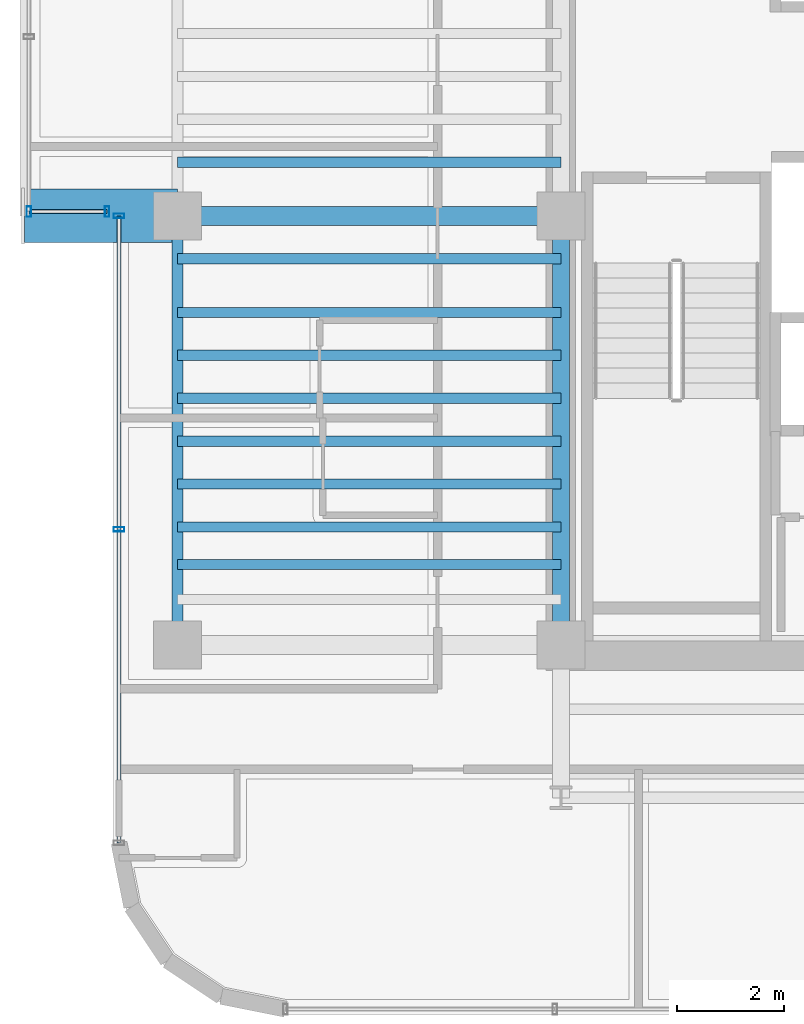
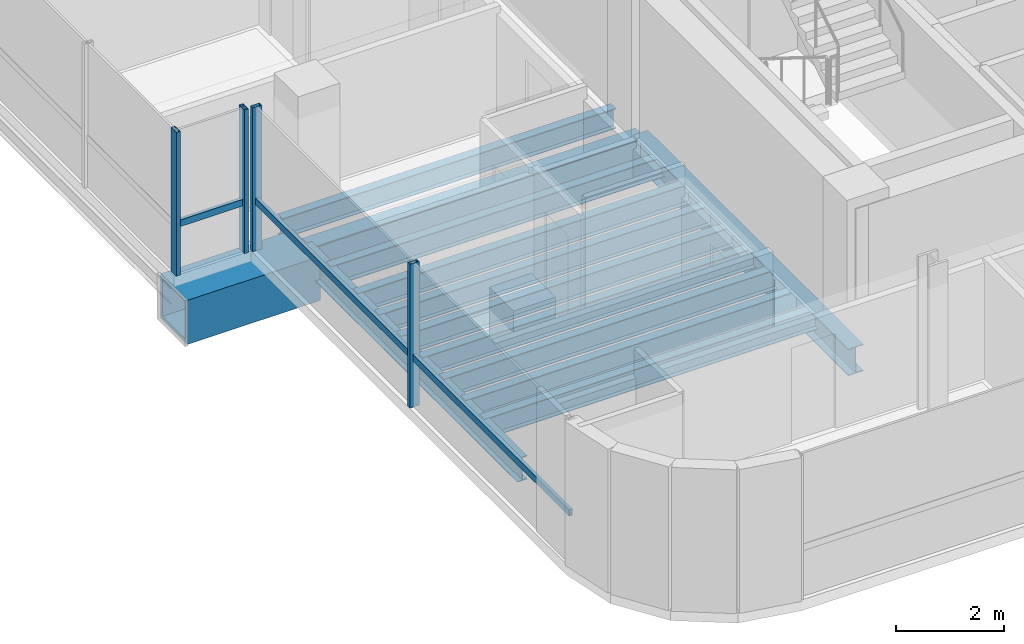
# One storey, part 4 of 22: 13 beams, 6 members, 2 elements without a shape of their own.
"""IFC4 building model written with IfcOpenShell, lengths in metres."""

import ifcopenshell
import ifcopenshell.guid

model = None  # the IFC model being written
_history = None  # IfcOwnerHistory: only IFC2X3 demands one
_inside = {}  # id of a spatial element -> (the spatial element, [elements in it])
_under = {}  # id of a project, library or spatial element -> (it, [spatial elements below it])
_declared = {}  # id of a project -> (the project, [libraries it declares])
_typed = {}  # id of a type object -> (the type object, [elements of that type])
_made_of = {}  # id of a material, layer set ... -> (it, [elements and type objects made of it])


def new_model(schema):
    """Start an empty IFC model of exactly this schema.

    Asked for "IFC4X3", IfcOpenShell would pick the latest addendum, in which some entities
    have other attributes; the version numbers below select the first issue.
    IFC2X3 requires an IfcOwnerHistory on every rooted entity: one is made here for all.
    """
    global model, _history
    if schema == "IFC4X3":
        model = ifcopenshell.file(schema_version=(4, 3, 0, 0))
    else:
        model = ifcopenshell.file(schema=schema)
    _inside.clear()
    _under.clear()
    _declared.clear()
    _typed.clear()
    _made_of.clear()
    _history = None
    if model.schema == "IFC2X3":
        org = make("IfcOrganization", Name="unknown")
        user = make(
            "IfcPersonAndOrganization",
            ThePerson=make("IfcPerson", FamilyName="unknown"),
            TheOrganization=org,
        )
        app = make(
            "IfcApplication",
            ApplicationDeveloper=org,
            Version="unknown",
            ApplicationFullName="unknown",
            ApplicationIdentifier="unknown",
        )
        _history = make(
            "IfcOwnerHistory",
            OwningUser=user,
            OwningApplication=app,
            ChangeAction="ADDED",
            CreationDate=0,
        )
    return model


def make(cls, **values):
    """One entity of the class cls with the attributes given. An attribute that is None is left unset."""
    return model.create_entity(
        cls, **{name: value for name, value in values.items() if value is not None}
    )


def rooted(cls, **values):
    """An entity with a GlobalId (a new one), such as an element, a storey or a relation."""
    return make(cls, GlobalId=ifcopenshell.guid.new(), OwnerHistory=_history, **values)


def si_unit(unit_type, name, prefix=None):
    """IfcSIUnit, for example si_unit("LENGTHUNIT", "METRE", prefix="MILLI")."""
    return make("IfcSIUnit", UnitType=unit_type, Prefix=prefix, Name=name)


def assignment(units):
    """IfcUnitAssignment: the units of a project."""
    return None if units is None else make("IfcUnitAssignment", Units=units)


def point(xyz):
    """IfcCartesianPoint."""
    return None if xyz is None else make("IfcCartesianPoint", Coordinates=xyz)


def direction(xyz):
    """IfcDirection."""
    return None if xyz is None else make("IfcDirection", DirectionRatios=xyz)


def frame(location, z_axis=None, x_axis=None):
    """IfcAxis2Placement3D, a coordinate frame: its origin and axes. An axis left out is left unset."""
    return make(
        "IfcAxis2Placement3D",
        Location=point(location),
        Axis=direction(z_axis),
        RefDirection=direction(x_axis),
    )


def frame_2d(location, x_axis=None):
    """IfcAxis2Placement2D, a coordinate frame in the plane: its origin and x axis."""
    return make(
        "IfcAxis2Placement2D", Location=point(location), RefDirection=direction(x_axis)
    )


def origin():
    """The frame at (0, 0, 0) with its axes left unset."""
    return frame((0.0, 0.0, 0.0))


def origin_2d():
    """The frame at (0, 0) in the plane with its x axis left unset."""
    return frame_2d((0.0, 0.0))


def place(relative_to, where):
    """IfcLocalPlacement: puts the frame where relative to a parent placement (None: the world)."""
    return make(
        "IfcLocalPlacement", PlacementRelTo=relative_to, RelativePlacement=where
    )


def context(
    kind, dimensions, precision=None, world=None, true_north=None, identifier=None
):
    """IfcGeometricRepresentationContext, for example the 3D "Model" context."""
    return make(
        "IfcGeometricRepresentationContext",
        ContextIdentifier=identifier,
        ContextType=kind,
        CoordinateSpaceDimension=dimensions,
        Precision=precision,
        WorldCoordinateSystem=world,
        TrueNorth=true_north,
    )


def subcontext(parent, identifier, kind, view, scale=None):
    """IfcGeometricRepresentationSubContext, for example "Body" below "Model"."""
    return make(
        "IfcGeometricRepresentationSubContext",
        ContextIdentifier=identifier,
        ContextType=kind,
        ParentContext=parent,
        TargetScale=scale,
        TargetView=view,
    )


def project(units=None, contexts=None):
    """IfcProject with its units and contexts."""
    return rooted(
        "IfcProject",
        Name="project",
        RepresentationContexts=contexts,
        UnitsInContext=assignment(units),
    )


def spatial(cls, under=None, at=None, **own):
    """A site, building, storey or space (cls), placed at a placement, below another one or the project."""
    s = rooted(cls, ObjectPlacement=at, **own)
    if under is not None:
        _under.setdefault(under.id(), (under, []))[1].append(s)
    return s


def profile(cls, at=None, kind="AREA", **sizes):
    """A parametric profile (cls). Its sizes go by their IFC names, for example OverallWidth=200.0."""
    return make(cls, ProfileType=kind, Position=at, **sizes)


def hollow_rectangle(**sizes):
    """IfcRectangleHollowProfileDef."""
    return profile("IfcRectangleHollowProfileDef", **sizes)


def i_section(**sizes):
    """IfcIShapeProfileDef."""
    return profile("IfcIShapeProfileDef", **sizes)


def extrude(swept, where, along, depth):
    """IfcExtrudedAreaSolid: the profile swept, set in the frame where, extruded along a direction by depth."""
    return make(
        "IfcExtrudedAreaSolid",
        SweptArea=swept,
        Position=where,
        ExtrudedDirection=direction(along),
        Depth=depth,
    )


def shape(context_of_items, identifier, shape_type, items):
    """IfcShapeRepresentation: the items that make up one representation, for example the "Body"."""
    return make(
        "IfcShapeRepresentation",
        ContextOfItems=context_of_items,
        RepresentationIdentifier=identifier,
        RepresentationType=shape_type,
        Items=items,
    )


def source(mapping_origin, context_of_items, identifier, shape_type, items):
    """IfcRepresentationMap: a shape defined once, which mapped items show again and again."""
    return make(
        "IfcRepresentationMap",
        MappingOrigin=mapping_origin,
        MappedRepresentation=shape(context_of_items, identifier, shape_type, items),
    )


def transform(
    local_origin,
    x_axis=None,
    y_axis=None,
    z_axis=None,
    scale=None,
    scale2=None,
    scale3=None,
    uniform=True,
):
    """IfcCartesianTransformationOperator3D, or its non-uniform kind. x_axis, y_axis, z_axis: its Axis1, 2, 3."""
    if uniform:
        return make(
            "IfcCartesianTransformationOperator3D",
            Axis1=direction(x_axis),
            Axis2=direction(y_axis),
            LocalOrigin=point(local_origin),
            Scale=scale,
            Axis3=direction(z_axis),
        )
    return make(
        "IfcCartesianTransformationOperator3DnonUniform",
        Axis1=direction(x_axis),
        Axis2=direction(y_axis),
        LocalOrigin=point(local_origin),
        Scale=scale,
        Axis3=direction(z_axis),
        Scale2=scale2,
        Scale3=scale3,
    )


def mapped(mapping_source, mapping_target):
    """IfcMappedItem: shows the shape of a source again, moved by a transform."""
    return make(
        "IfcMappedItem", MappingSource=mapping_source, MappingTarget=mapping_target
    )


def material(Name=None, Category=None):
    """IfcMaterial."""
    return make("IfcMaterial", Name=Name, Category=Category)


def material_profile(
    of_material, cross_section, Name=None, Category=None, Priority=None
):
    """IfcMaterialProfile: a cross section and its material."""
    return make(
        "IfcMaterialProfile",
        Name=Name,
        Material=of_material,
        Profile=cross_section,
        Priority=Priority,
        Category=Category,
    )


def profile_set(profiles, Name=None, composite=None):
    """IfcMaterialProfileSet."""
    return make(
        "IfcMaterialProfileSet",
        Name=Name,
        MaterialProfiles=profiles,
        CompositeProfile=composite,
    )


def made_of(thing, what):
    """Note that an element or type object is made of a material, layer set ...; save() writes the relation."""
    if what is not None:
        _made_of.setdefault(what.id(), (what, []))[1].append(thing)
    return thing


def type_object(cls, material=None, **own):
    """A type object (cls), such as IfcWallType, which elements share."""
    return made_of(rooted(cls, **own), material)


def element(
    cls,
    number,
    at=None,
    inside=None,
    cuts=None,
    type_object=None,
    material=None,
    context=None,
    identifier="Body",
    shape_type=None,
    held_by="IfcProductDefinitionShape",
    body=None,
    shapes=None,
    **own,
):
    """One element of the class cls, such as IfcWall. Its Tag is "e" and its number.

    at: its placement. inside: the storey or other place that contains it. cuts: it is an
    opening in that element (IfcRelVoidsElement). A single representation is given by context,
    identifier, shape_type and body (its items); several are given by shapes. held_by: the class
    of the entity that holds the representations. save() writes the other relations.
    """
    e = rooted(cls, Tag="e%d" % number, ObjectPlacement=at, **own)
    if body is not None:
        shapes = [shape(context, identifier, shape_type, body)]
    if shapes is not None:
        e.Representation = make(held_by, Representations=shapes)
    if inside is not None:
        _inside.setdefault(inside.id(), (inside, []))[1].append(e)
    if cuts is not None:
        rooted(
            "IfcRelVoidsElement", RelatingBuildingElement=cuts, RelatedOpeningElement=e
        )
    if type_object is not None:
        _typed.setdefault(type_object.id(), (type_object, []))[1].append(e)
    return made_of(e, material)


def aggregate(whole, parts):
    """IfcRelAggregates: a whole, such as a stair, and the parts it consists of."""
    return rooted("IfcRelAggregates", RelatingObject=whole, RelatedObjects=parts)


def save(model, path):
    """Write the relations noted so far, then the file.

    IfcRelAggregates (storeys below a building ...), IfcRelContainedInSpatialStructure (elements
    in a storey), IfcRelDefinesByType, IfcRelAssociatesMaterial and IfcRelDeclares: one each for
    every whole, place, type object, material and project.
    """
    for whole, parts in _under.values():
        aggregate(whole, parts)
    for where, things in _inside.values():
        rooted(
            "IfcRelContainedInSpatialStructure",
            RelatedElements=things,
            RelatingStructure=where,
        )
    for kind, things in _typed.values():
        rooted("IfcRelDefinesByType", RelatedObjects=things, RelatingType=kind)
    for what, things in _made_of.values():
        rooted("IfcRelAssociatesMaterial", RelatedObjects=things, RelatingMaterial=what)
    for by, libraries in _declared.values():
        rooted("IfcRelDeclares", RelatingContext=by, RelatedDefinitions=libraries)
    model.write(path)


model = new_model("IFC4")

# Units and contexts
model_context = context("Model", 3, precision=1e-05, world=origin(), true_north=direction((0.0, 1.0)))
body_context = subcontext(model_context, "Body", "Model", "MODEL_VIEW")
ifc_project = project(units=[si_unit("LENGTHUNIT", "METRE"), si_unit("AREAUNIT", "SQUARE_METRE"), si_unit("VOLUMEUNIT", "CUBIC_METRE"), si_unit("PLANEANGLEUNIT", "RADIAN"), si_unit("MASSUNIT", "GRAM", prefix="KILO")], contexts=[model_context])

# Site, building, storey
site_placement = place(None, origin())
site = spatial("IfcSite", under=ifc_project, at=site_placement, CompositionType="ELEMENT")
building_placement = place(site_placement, origin())
building = spatial("IfcBuilding", under=site, at=building_placement, Name="Valdorenza Pilgrim Sanctuary Tower", CompositionType="ELEMENT")
storey_placement = place(building_placement, frame((0.0, 0.0, 216.0)))
storey = spatial("IfcBuildingStorey", under=building, at=storey_placement, Name="L55", CompositionType="ELEMENT", Elevation=216.0)

# Beams
ifc_material_1 = material(Name="Steel ASTM A992 Grade 50", Category="steel")
ifc_material_profile_1 = material_profile(ifc_material_1, i_section(OverallWidth=0.323974609375, OverallDepth=0.611083984375, WebThickness=0.0126953125, FlangeThickness=0.01904296875, at=origin_2d()), Name="W24X104")
ifc_profile_set_1 = profile_set([ifc_material_profile_1], Name="Steel ASTM A992 Grade 50")
beam_type_1 = type_object("IfcBeamType", Name="STR-BM-GRD-W24B", PredefinedType="BEAM", material=ifc_profile_set_1)
shared_shape_1 = source(origin(), body_context, "Body", "SweptSolid", [
    extrude(i_section(OverallWidth=0.323974609375, OverallDepth=0.611083984375, WebThickness=0.0126953125, FlangeThickness=0.01904296875, at=origin_2d()), origin(), (0.0, 0.0, 1.0), 8.0),
])
beam_1_placement = place(storey_placement, frame((-22.64990234375, -10.60009765625, -0.54541015625), z_axis=(0.0, 1.0, 0.0), x_axis=(-1.0, 0.0, 0.0)))
element("IfcBeam", 1, at=beam_1_placement, inside=storey, type_object=beam_type_1, Name="L55 Core Tie Girder CA-W-S1M0", PredefinedType="BEAM", context=body_context, shape_type="MappedRepresentation", body=[
    mapped(shared_shape_1, transform((0.0, 0.0, 0.0), x_axis=(1.0, 0.0, 0.0), y_axis=(0.0, 1.0, 0.0), z_axis=(0.0, 0.0, 1.0), scale=1.0)),
])
ifc_material_profile_2 = material_profile(ifc_material_1, i_section(OverallWidth=0.19091796875, OverallDepth=0.45703125, WebThickness=0.009033203125, FlangeThickness=0.014404296875, at=origin_2d()), Name="W18X50")
ifc_profile_set_2 = profile_set([ifc_material_profile_2], Name="Steel ASTM A992 Grade 50")
beam_type_2 = type_object("IfcBeamType", Name="STR-BM-JST-W18B", PredefinedType="JOIST", material=ifc_profile_set_2)
shared_shape_2 = source(origin(), body_context, "Body", "SweptSolid", [
    extrude(i_section(OverallWidth=0.19091796875, OverallDepth=0.45703125, WebThickness=0.009033203125, FlangeThickness=0.014404296875, at=origin_2d()), origin(), (0.0, 0.0, 1.0), 7.150146484375),
])
for number, where, z_axis, x_axis, name in (
    (2, (-29.800048828125, -9.10009765625, -0.468505859375), (1.0, 0.0, 0.0), (0.0, 1.0, 0.0), "L55 Composite Floor Joist JST-WA-2"),
    (3, (-29.800048828125, -8.39990234375, -0.468505859375), (1.0, 0.0, 0.0), (0.0, 1.0, 0.0), "L55 Composite Floor Joist JST-WA-3"),
    (4, (-29.800048828125, -7.60009765625, -0.468505859375), (1.0, 0.0, 0.0), (0.0, 1.0, 0.0), "L55 Composite Floor Joist JST-WA-4"),
    (5, (-29.800048828125, -6.800048828125, -0.468505859375), (1.0, 0.0, 0.0), (0.0, 1.0, 0.0), "L55 Composite Floor Joist JST-WA-5"),
    (6, (-29.800048828125, -6.0, -0.468505859375), (1.0, 0.0, 0.0), (0.0, 1.0, 0.0), "L55 Composite Floor Joist JST-WA-6"),
    (7, (-29.800048828125, -5.199951171875, -0.468505859375), (1.0, 0.0, 0.0), (0.0, 1.0, 0.0), "L55 Composite Floor Joist JST-WA-7"),
    (8, (-29.800048828125, -4.39990234375, -0.468505859375), (1.0, 0.0, 0.0), (0.0, 1.0, 0.0), "L55 Composite Floor Joist JST-WA-8"),
    (9, (-29.800048828125, -3.39990234375, -0.468505859375), (1.0, 0.0, 0.0), (0.0, 1.0, 0.0), "L55 Composite Floor Joist JST-WA-9"),
    (10, (-29.800048828125, -1.60009765625, -0.468505859375), (1.0, 0.0, 0.0), (0.0, 1.0, 0.0), "L55 Composite Floor Joist JST-WA-10"),
):
    element("IfcBeam", number, at=place(storey_placement, frame(where, z_axis=z_axis, x_axis=x_axis)), inside=storey, type_object=beam_type_2, Name=name, PredefinedType="JOIST", context=body_context, shape_type="MappedRepresentation", body=[
        mapped(shared_shape_2, transform((0.0, 0.0, 0.0), x_axis=(1.0, 0.0, 0.0), y_axis=(0.0, 1.0, 0.0), z_axis=(0.0, 0.0, 1.0), scale=1.0)),
    ])
ifc_material_2 = material(Name="Steel ASTM A572 Grade 42", Category="steel")
ifc_material_profile_3 = material_profile(ifc_material_2, hollow_rectangle(XDim=1.0, YDim=1.0, WallThickness=0.080078125, at=origin_2d()), Name="BOX 1000x1000x80")
ifc_profile_set_3 = profile_set([ifc_material_profile_3], Name="Steel ASTM A572 Grade 42")
beam_type_3 = type_object("IfcBeamType", Name="STR-BM-PROW-CANT", PredefinedType="BEAM", material=ifc_profile_set_3)
shared_shape_3 = source(origin(), body_context, "Body", "SweptSolid", [
    extrude(hollow_rectangle(XDim=1.0, YDim=1.0, WallThickness=0.080078125, at=origin_2d()), origin(), (0.0, 0.0, 1.0), 2.849853515625),
])
beam_2_placement = place(storey_placement, frame((-29.800048828125, -2.60009765625, -0.739990234375), z_axis=(-1.0, 0.0, 0.0), x_axis=(0.0, -1.0, 0.0)))
element("IfcBeam", 11, at=beam_2_placement, inside=storey, type_object=beam_type_3, Name="L55 Glass Box Cantilever Beam BOX-WA-L55-CT-S", PredefinedType="BEAM", context=body_context, shape_type="MappedRepresentation", body=[
    mapped(shared_shape_3, transform((0.0, 0.0, 0.0), x_axis=(1.0, 0.0, 0.0), y_axis=(0.0, 1.0, 0.0), z_axis=(0.0, 0.0, 1.0), scale=1.0)),
])
ifc_material_profile_4 = material_profile(ifc_material_1, i_section(OverallWidth=0.2109375, OverallDepth=0.5390625, WebThickness=0.01171875, FlangeThickness=0.018798828125, at=origin_2d()), Name="W21X73")
ifc_profile_set_4 = profile_set([ifc_material_profile_4], Name="Steel ASTM A992 Grade 50")
beam_type_4 = type_object("IfcBeamType", Name="STR-BM-SPN-W21B", PredefinedType="SPANDREL", material=ifc_profile_set_4)
shared_shape_4 = source(origin(), body_context, "Body", "SweptSolid", [
    extrude(i_section(OverallWidth=0.2109375, OverallDepth=0.5390625, WebThickness=0.01171875, FlangeThickness=0.018798828125, at=origin_2d()), origin(), (0.0, 0.0, 1.0), 8.0),
])
beam_3_placement = place(storey_placement, frame((-29.800048828125, -10.60009765625, -0.509521484375), z_axis=(0.0, 1.0, 0.0), x_axis=(-1.0, 0.0, 0.0)))
element("IfcBeam", 12, at=beam_3_placement, inside=storey, type_object=beam_type_4, Name="L55 Spandrel Beam WA-W-S1M0", PredefinedType="SPANDREL", context=body_context, shape_type="MappedRepresentation", body=[
    mapped(shared_shape_4, transform((0.0, 0.0, 0.0), x_axis=(1.0, 0.0, 0.0), y_axis=(0.0, 1.0, 0.0), z_axis=(0.0, 0.0, 1.0), scale=1.0)),
])
ifc_material_profile_5 = material_profile(ifc_material_1, i_section(OverallWidth=0.35595703125, OverallDepth=0.700927734375, WebThickness=0.016845703125, FlangeThickness=0.02734375, at=origin_2d()), Name="W27X161")
ifc_profile_set_5 = profile_set([ifc_material_profile_5], Name="Steel ASTM A992 Grade 50")
beam_type_5 = type_object("IfcBeamType", Name="STR-BM-GRD-W27", PredefinedType="BEAM", material=ifc_profile_set_5)
shared_shape_5 = source(origin(), body_context, "Body", "SweptSolid", [
    extrude(i_section(OverallWidth=0.35595703125, OverallDepth=0.700927734375, WebThickness=0.016845703125, FlangeThickness=0.02734375, at=origin_2d()), origin(), (0.0, 0.0, 1.0), 7.150146484375),
])
beam_4_placement = place(storey_placement, frame((-29.800048828125, -2.60009765625, -0.590576171875), z_axis=(1.0, 0.0, 0.0), x_axis=(0.0, 1.0, 0.0)))
element("IfcBeam", 13, at=beam_4_placement, inside=storey, type_object=beam_type_5, Name="L55 Floor Girder WA-XW-M0", PredefinedType="BEAM", context=body_context, shape_type="MappedRepresentation", body=[
    mapped(shared_shape_5, transform((0.0, 0.0, 0.0), x_axis=(1.0, 0.0, 0.0), y_axis=(0.0, 1.0, 0.0), z_axis=(0.0, 0.0, 1.0), scale=1.0)),
])

# Curtain wall, member
ifc_material_3 = material(Name="Curtain-wall IGU glazing", Category="glass")
curtain_wall_type = type_object("IfcCurtainWallType", Name="CW-SYS-02", PredefinedType="NOTDEFINED", material=ifc_material_3)
curtain_wall_1_placement = place(storey_placement, origin())
curtain_wall_1 = element("IfcCurtainWall", 14, at=curtain_wall_1_placement, inside=storey, type_object=curtain_wall_type, Name="L55 Curtain Wall CW-L55-BOX-WA-L55-S", PredefinedType="NOTDEFINED")
ifc_material_4 = material(Name="Anodised aluminium AW-6060", Category="aluminium")
ifc_material_profile_6 = material_profile(ifc_material_4, hollow_rectangle(XDim=0.074951171875, YDim=0.14990234375, WallThickness=0.00390625, at=origin_2d()), Name="ALU-T 150x75x4")
ifc_profile_set_6 = profile_set([ifc_material_profile_6], Name="Anodised aluminium AW-6060")
member_type_1 = type_object("IfcMemberType", Name="CW-TRN-02", PredefinedType="USERDEFINED", material=ifc_profile_set_6)
shared_shape_6 = source(origin(), body_context, "Body", "SweptSolid", [
    extrude(hollow_rectangle(XDim=0.074951171875, YDim=0.14990234375, WallThickness=0.00390625, at=origin_2d()), origin(), (0.0, 0.0, 1.0), 1.4599609375),
])
member_1_placement = place(storey_placement, frame((-31.110107421875, -2.52001953125, 1.1201171875), z_axis=(-1.0, 0.0, 0.0), x_axis=(0.0, -1.0, 0.0)))
member_1 = element("IfcMember", 15, at=member_1_placement, type_object=member_type_1, Name="CW-L55-BOX-WA-L55-S Transom 1", ObjectType="TRANSOM", PredefinedType="USERDEFINED", context=body_context, shape_type="MappedRepresentation", body=[
    mapped(shared_shape_6, transform((0.0, 0.0, 0.0), x_axis=(1.0, 0.0, 0.0), y_axis=(0.0, 1.0, 0.0), z_axis=(0.0, 0.0, 1.0), scale=1.0)),
])

# Curtain wall, members
curtain_wall_2_placement = place(storey_placement, origin())
curtain_wall_2 = element("IfcCurtainWall", 16, at=curtain_wall_2_placement, inside=storey, type_object=curtain_wall_type, Name="L55 Curtain Wall CW-L55-1-1S1", PredefinedType="NOTDEFINED")
shared_shape_7 = source(origin(), body_context, "Body", "SweptSolid", [
    extrude(hollow_rectangle(XDim=0.074951171875, YDim=0.14990234375, WallThickness=0.00390625, at=origin_2d()), origin(), (0.0, 0.0, 1.0), 11.689208984375),
])
member_2_placement = place(storey_placement, frame((-30.889892578125, -14.289306640625, 1.1201171875), z_axis=(0.0, 1.0, 0.0), x_axis=(-1.0, 0.0, 0.0)))
member_2 = element("IfcMember", 17, at=member_2_placement, type_object=member_type_1, Name="CW-L55-1-1S1 Transom 1", ObjectType="TRANSOM", PredefinedType="USERDEFINED", context=body_context, shape_type="MappedRepresentation", body=[
    mapped(shared_shape_7, transform((0.0, 0.0, 0.0), x_axis=(1.0, 0.0, 0.0), y_axis=(0.0, 1.0, 0.0), z_axis=(0.0, 0.0, 1.0), scale=1.0)),
])
ifc_material_profile_7 = material_profile(ifc_material_4, hollow_rectangle(XDim=0.0849609375, YDim=0.199951171875, WallThickness=0.0048828125, at=origin_2d()), Name="ALU-M 200x85x5")
ifc_profile_set_7 = profile_set([ifc_material_profile_7], Name="Anodised aluminium AW-6060")
member_type_2 = type_object("IfcMemberType", Name="CW-MUL-02", PredefinedType="MULLION", material=ifc_profile_set_7)
shared_shape_8 = source(origin(), body_context, "Body", "SweptSolid", [
    extrude(hollow_rectangle(XDim=0.0849609375, YDim=0.199951171875, WallThickness=0.0048828125, at=origin_2d()), origin(), (0.0, 0.0, 1.0), 3.260009765625),
])
member_3_placement = place(storey_placement, frame((-30.889892578125, -8.444580078125, 0.0), z_axis=(0.0, 0.0, 1.0), x_axis=(0.0, 1.0, 0.0)))
member_3 = element("IfcMember", 18, at=member_3_placement, type_object=member_type_2, Name="CW-L55-1-1S1 Mullion 2", PredefinedType="MULLION", context=body_context, shape_type="MappedRepresentation", body=[
    mapped(shared_shape_8, transform((0.0, 0.0, 0.0), x_axis=(1.0, 0.0, 0.0), y_axis=(0.0, 1.0, 0.0), z_axis=(0.0, 0.0, 1.0), scale=1.0)),
])
member_4_placement = place(storey_placement, frame((-30.889892578125, -2.60009765625, 0.0), z_axis=(0.0, 0.0, 1.0), x_axis=(0.0, 1.0, 0.0)))
member_4 = element("IfcMember", 19, at=member_4_placement, type_object=member_type_2, Name="CW-L55-1-1S1 Mullion 3", PredefinedType="MULLION", context=body_context, shape_type="MappedRepresentation", body=[
    mapped(shared_shape_8, transform((0.0, 0.0, 0.0), x_axis=(1.0, 0.0, 0.0), y_axis=(0.0, 1.0, 0.0), z_axis=(0.0, 0.0, 1.0), scale=1.0)),
])
aggregate(curtain_wall_2, [member_3, member_4, member_2])

# Member
member_5_placement = place(storey_placement, frame((-31.110107421875, -2.52001953125, 0.0), z_axis=(0.0, 0.0, 1.0), x_axis=(-1.0, 0.0, 0.0)))
member_5 = element("IfcMember", 20, at=member_5_placement, type_object=member_type_2, Name="CW-L55-BOX-WA-L55-S Mullion 1", PredefinedType="MULLION", context=body_context, shape_type="MappedRepresentation", body=[
    mapped(shared_shape_8, transform((0.0, 0.0, 0.0), x_axis=(1.0, 0.0, 0.0), y_axis=(0.0, 1.0, 0.0), z_axis=(0.0, 0.0, 1.0), scale=1.0)),
])

member_6_placement = place(storey_placement, frame((-32.570068359375, -2.52001953125, 0.0), z_axis=(0.0, 0.0, 1.0), x_axis=(-1.0, 0.0, 0.0)))
member_6 = element("IfcMember", 21, at=member_6_placement, type_object=member_type_2, Name="CW-L55-BOX-WA-L55-S Mullion 2", PredefinedType="MULLION", context=body_context, shape_type="MappedRepresentation", body=[
    mapped(shared_shape_8, transform((0.0, 0.0, 0.0), x_axis=(1.0, 0.0, 0.0), y_axis=(0.0, 1.0, 0.0), z_axis=(0.0, 0.0, 1.0), scale=1.0)),
])

aggregate(curtain_wall_1, [member_5, member_6, member_1])

save(model, "model.ifc")
